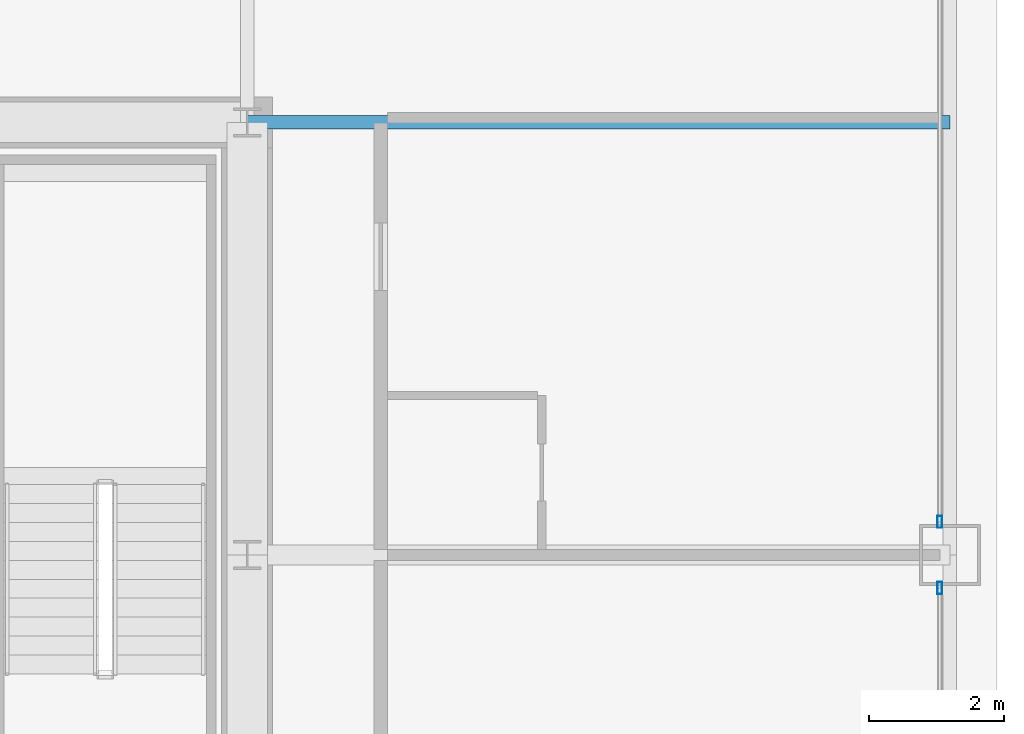
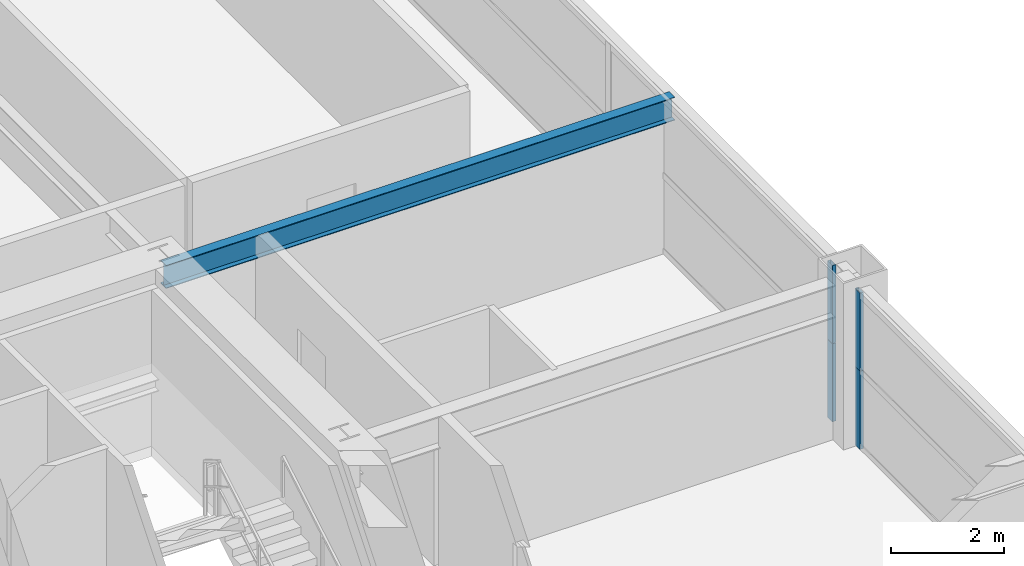
# One storey, part 22 of 43: 4 members, 1 beam, 2 elements without a shape of their own.
"""IFC4 building model written with IfcOpenShell, lengths in metres."""

from ifc_helpers import new_model, si_unit, direction, frame, origin, origin_2d, place, context, subcontext, project, spatial, hollow_rectangle, i_section, extrude, source, transform, mapped, material, layer, layer_set, material_profile, profile_set, type_object, element, aggregate, save


model = new_model("IFC4")

# Units and contexts
model_context = context("Model", 3, precision=1e-05, world=origin(), true_north=direction((0.0, 1.0)))
body_context = subcontext(model_context, "Body", "Model", "MODEL_VIEW")
ifc_project = project(units=[si_unit("LENGTHUNIT", "METRE"), si_unit("AREAUNIT", "SQUARE_METRE"), si_unit("VOLUMEUNIT", "CUBIC_METRE"), si_unit("PLANEANGLEUNIT", "RADIAN"), si_unit("MASSUNIT", "GRAM", prefix="KILO"), si_unit("THERMODYNAMICTEMPERATUREUNIT", "KELVIN"), si_unit("POWERUNIT", "WATT")], contexts=[model_context])

# Site, building, storey
site_placement = place(None, origin())
site = spatial("IfcSite", under=ifc_project, at=site_placement, CompositionType="ELEMENT")
building_placement = place(site_placement, origin())
building = spatial("IfcBuilding", under=site, at=building_placement, Name="Yuzanri Waterfront Tower", CompositionType="ELEMENT")
storey_placement = place(building_placement, frame((0.0, 0.0, 93.800048828125)))
storey = spatial("IfcBuildingStorey", under=building, at=storey_placement, Name="L24", CompositionType="ELEMENT", Elevation=93.800048828125)

# Beam
ifc_material_1 = material(Name="Steel Q355B", Category="steel")
ifc_material_profile_1 = material_profile(ifc_material_1, i_section(OverallWidth=0.199951171875, OverallDepth=0.5, WebThickness=0.010009765625, FlangeThickness=0.01611328125, at=origin_2d()), Name="HN 500x200x10x16")
ifc_profile_set_1 = profile_set([ifc_material_profile_1], Name="Steel Q355B")
beam_type = type_object("IfcBeamType", Name="Secondary Floor Beam Q355B HN 500x200", PredefinedType="BEAM", material=ifc_profile_set_1)
shared_shape_1 = source(origin(), body_context, "Body", "SweptSolid", [
    extrude(i_section(OverallWidth=0.199951171875, OverallDepth=0.5, WebThickness=0.010009765625, FlangeThickness=0.01611328125, at=origin_2d()), origin(), (0.0, 0.0, 1.0), 10.400146484375),
])
beam_placement = place(storey_placement, frame((50.199951171875, 32.199951171875, 3.1298828125), z_axis=(1.0, 0.0, 0.0), x_axis=(0.0, 1.0, 0.0)))
element("IfcBeam", 1, at=beam_placement, inside=storey, type_object=beam_type, Name="L24 East-North Core Line Beam", PredefinedType="BEAM", context=body_context, shape_type="MappedRepresentation", body=[
    mapped(shared_shape_1, transform((0.0, 0.0, 0.0), scale=1.0)),
])

# Curtain wall, members
ifc_material_2 = material(Name="Anodized Architectural Bronze", Category="metal")
ifc_layer = layer(ifc_material_2, 0.159912109375)
ifc_layer_set = layer_set([ifc_layer], Name="Anodized Architectural Bronze")
curtain_wall_type = type_object("IfcCurtainWallType", Name="Anodized Bronze Hotel Upper-Tier Solar-Control Unitized Curtain Wall 7800", PredefinedType="NOTDEFINED", material=ifc_layer_set)
curtain_wall_1_placement = place(storey_placement, origin())
curtain_wall_1 = element("IfcCurtainWall", 2, at=curtain_wall_1_placement, inside=storey, type_object=curtain_wall_type, Name="L24 Curtain Wall CW-L24-EL", PredefinedType="NOTDEFINED")
ifc_material_3 = material(Name="Anodized Architectural Bronze", Category="metal")
ifc_material_profile_2 = material_profile(ifc_material_3, hollow_rectangle(XDim=0.070068359375, YDim=0.179931640625, WallThickness=0.00390625, at=origin_2d()), Name="CWM 70x180")
ifc_profile_set_2 = profile_set([ifc_material_profile_2], Name="Anodized Architectural Bronze")
member_type = type_object("IfcMemberType", Name="Anodized Bronze Standard Curtain-Wall Mullion 70x180", PredefinedType="MULLION", material=ifc_profile_set_2)
shared_shape_2 = source(origin(), body_context, "Body", "SweptSolid", [
    extrude(hollow_rectangle(XDim=0.070068359375, YDim=0.179931640625, WallThickness=0.00390625, at=origin_2d()), origin(), (0.0, 0.0, 1.0), 1.68798828125),
])
member_1_placement = place(storey_placement, frame((60.449951171875, 25.31005859375, 0.0), z_axis=(0.0, 0.0, 1.0), x_axis=(1.0, 0.0, 0.0)))
member_1 = element("IfcMember", 3, at=member_1_placement, type_object=member_type, Name="CW-L24-EL Lower Mullion 02", PredefinedType="MULLION", context=body_context, shape_type="MappedRepresentation", body=[
    mapped(shared_shape_2, transform((0.0, 0.0, 0.0), scale=1.0)),
])
member_2_placement = place(storey_placement, frame((60.449951171875, 25.31005859375, 1.69189453125), z_axis=(0.0, 0.0, 1.0), x_axis=(1.0, 0.0, 0.0)))
member_2 = element("IfcMember", 4, at=member_2_placement, type_object=member_type, Name="CW-L24-EL Upper Mullion 02", PredefinedType="MULLION", context=body_context, shape_type="MappedRepresentation", body=[
    mapped(shared_shape_2, transform((0.0, 0.0, 0.0), scale=1.0)),
])
aggregate(curtain_wall_1, [member_1, member_2])

curtain_wall_2_placement = place(storey_placement, origin())
curtain_wall_2 = element("IfcCurtainWall", 5, at=curtain_wall_2_placement, inside=storey, type_object=curtain_wall_type, Name="L24 Curtain Wall CW-L24-ER", PredefinedType="NOTDEFINED")
member_3_placement = place(storey_placement, frame((60.449951171875, 26.2900390625, 0.0), z_axis=(0.0, 0.0, 1.0), x_axis=(1.0, 0.0, 0.0)))
member_3 = element("IfcMember", 6, at=member_3_placement, type_object=member_type, Name="CW-L24-ER Lower Mullion 00", PredefinedType="MULLION", context=body_context, shape_type="MappedRepresentation", body=[
    mapped(shared_shape_2, transform((0.0, 0.0, 0.0), scale=1.0)),
])
member_4_placement = place(storey_placement, frame((60.449951171875, 26.2900390625, 1.69189453125), z_axis=(0.0, 0.0, 1.0), x_axis=(1.0, 0.0, 0.0)))
member_4 = element("IfcMember", 7, at=member_4_placement, type_object=member_type, Name="CW-L24-ER Upper Mullion 00", PredefinedType="MULLION", context=body_context, shape_type="MappedRepresentation", body=[
    mapped(shared_shape_2, transform((0.0, 0.0, 0.0), scale=1.0)),
])
aggregate(curtain_wall_2, [member_3, member_4])

save(model, "model.ifc")
